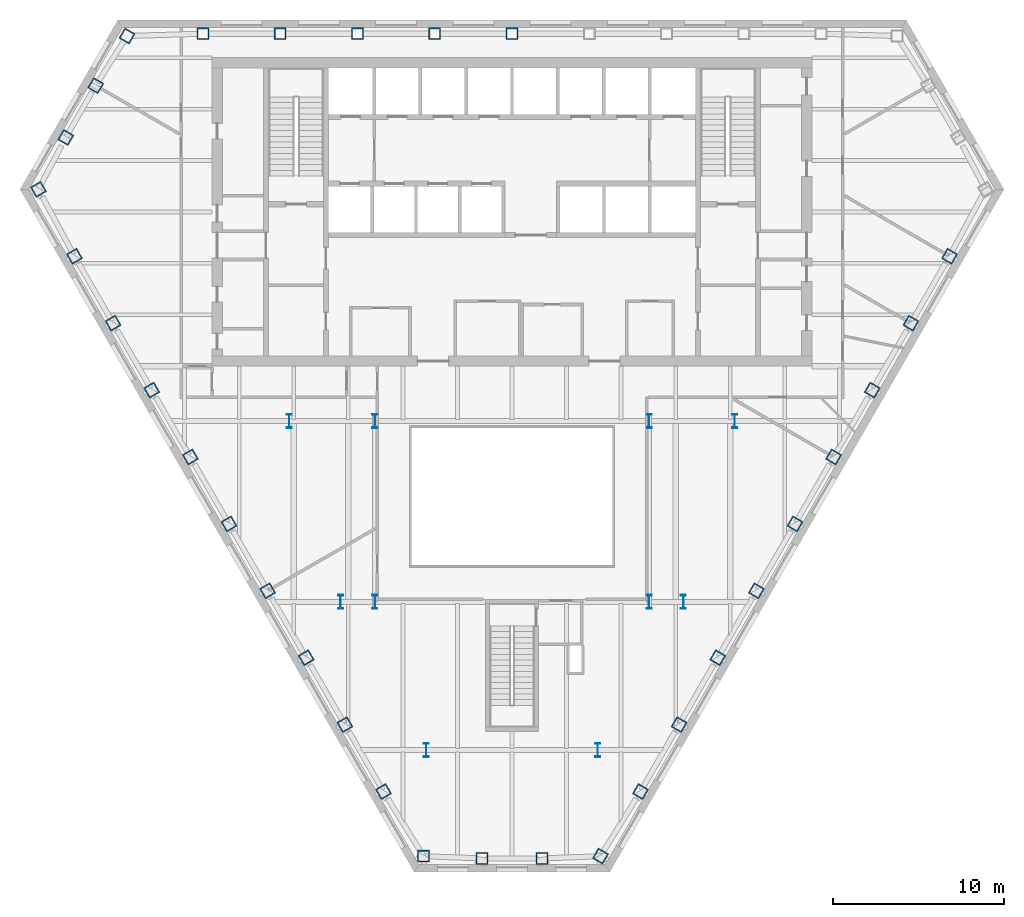
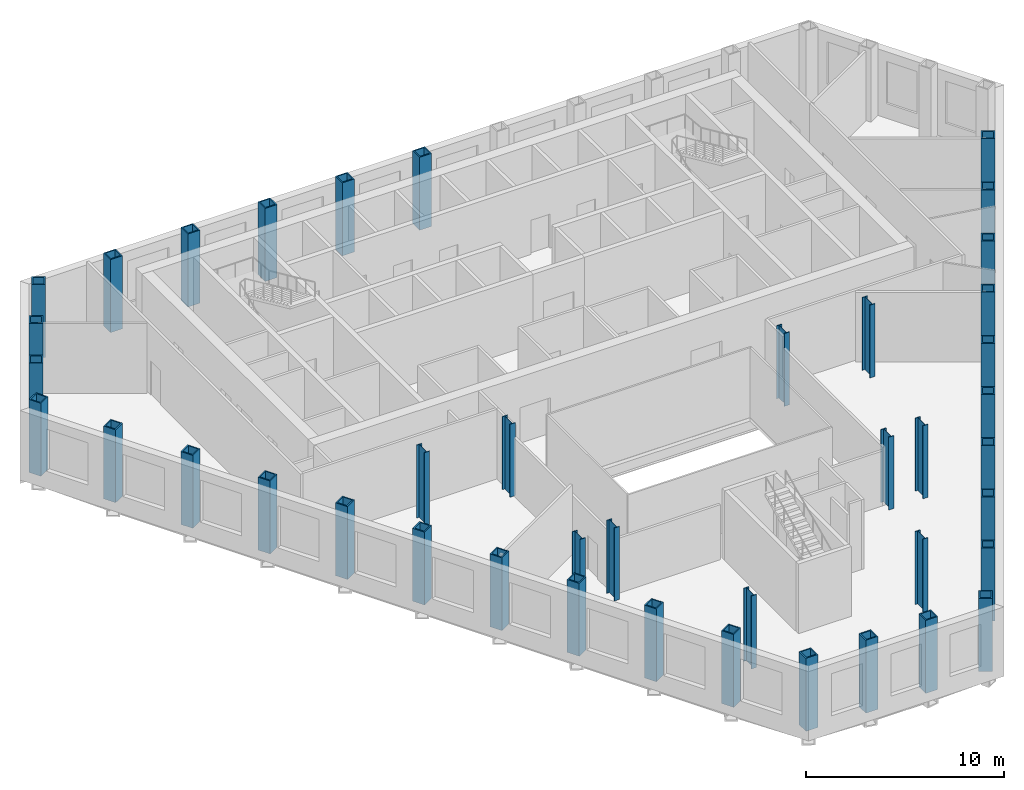
# One storey, part 1 of 11: 41 columns.
"""IFC4 building model written with IfcOpenShell, lengths in metres."""

from ifc_helpers import new_model, si_unit, direction, frame, origin, origin_2d, place, context, subcontext, project, spatial, hollow_rectangle, i_section, extrude, material, material_profile, profile_set, type_object, element, save


model = new_model("IFC4")

# Units and contexts
model_context = context("Model", 3, precision=1e-05, world=origin(), true_north=direction((0.0, 1.0)))
body_context = subcontext(model_context, "Body", "Model", "MODEL_VIEW")
ifc_project = project(units=[si_unit("LENGTHUNIT", "METRE"), si_unit("AREAUNIT", "SQUARE_METRE"), si_unit("VOLUMEUNIT", "CUBIC_METRE"), si_unit("PLANEANGLEUNIT", "RADIAN"), si_unit("MASSUNIT", "GRAM", prefix="KILO")], contexts=[model_context])

# Site, building, storey
site_placement = place(None, origin())
site = spatial("IfcSite", under=ifc_project, at=site_placement, CompositionType="ELEMENT")
building_placement = place(site_placement, origin())
building = spatial("IfcBuilding", under=site, at=building_placement, Name="Njiva Tower", CompositionType="ELEMENT")
storey_placement = place(building_placement, frame((0.0, 0.0, 46.8)))
storey = spatial("IfcBuildingStorey", under=building, at=storey_placement, Name="L09", CompositionType="ELEMENT", Elevation=46.8)

# Columns
ifc_material = material(Name="Steel S355 J2", Category="steel")
ifc_material_profile_1 = material_profile(ifc_material, hollow_rectangle(XDim=0.7, YDim=0.7, WallThickness=0.07, at=origin_2d()), Name="BOX 700x700x70")
ifc_profile_set_1 = profile_set([ifc_material_profile_1], Name="Steel S355 J2")
column_type_1 = type_object("IfcColumnType", Name="C5 Perimeter tube column BOX 700x700x70", PredefinedType="COLUMN", material=ifc_profile_set_1)
for number, where, z_axis, x_axis, name in (
    (1, (0.0, 19.4, 0.0), (0.0, 0.0, 1.0), (-1.0, 0.0, 0.0), "Perimeter tube column S03-C06"),
    (2, (-4.508, 19.4, 0.0), (0.0, 0.0, 1.0), (-1.0, 0.0, 0.0), "Perimeter tube column S03-C07"),
    (3, (-9.015, 19.4, 0.0), (0.0, 0.0, 1.0), (-1.0, 0.0, 0.0), "Perimeter tube column S03-C08"),
    (4, (-13.523, 19.4, 0.0), (0.0, 0.0, 1.0), (-1.0, 0.0, 0.0), "Perimeter tube column S03-C09"),
    (5, (-18.03, 19.4, 0.0), (0.0, 0.0, 1.0), (-1.0, 0.0, 0.0), "Perimeter tube column S03-C10"),
    (6, (-22.461, 19.267, 0.0), (0.0, 0.0, 1.0), (-0.5, -0.866025403784, 0.0), "Perimeter tube column S03-C11"),
    (7, (-24.286, 16.373, 0.0), (0.0, 0.0, 1.0), (-0.5, -0.866025403784, 0.0), "Perimeter tube column S03-C12"),
    (8, (-26.034, 13.346, 0.0), (0.0, 0.0, 1.0), (-0.5, -0.866025403784, 0.0), "Perimeter tube column S03-C13"),
    (9, (-27.628, 10.319, 0.0), (0.0, 0.0, 1.0), (0.5, -0.866025403784, 0.0), "Perimeter tube column S03-C14"),
    (10, (-25.527, 6.415, 0.0), (0.0, 0.0, 1.0), (0.5, -0.866025403784, 0.0), "Perimeter tube column S03-C15"),
    (11, (-23.274, 2.511, 0.0), (0.0, 0.0, 1.0), (0.5, -0.866025403784, 0.0), "Perimeter tube column S03-C16"),
    (12, (-21.02, -1.393, 0.0), (0.0, 0.0, 1.0), (0.5, -0.866025403784, 0.0), "Perimeter tube column S03-C17"),
    (13, (-18.766, -5.296, 0.0), (0.0, 0.0, 1.0), (0.5, -0.866025403784, 0.0), "Perimeter tube column S03-C18"),
    (14, (-16.512, -9.2, 0.0), (0.0, 0.0, 1.0), (0.5, -0.866025403784, 0.0), "Perimeter tube column S03-C19"),
    (15, (-14.258, -13.104, 0.0), (0.0, 0.0, 1.0), (0.5, -0.866025403784, 0.0), "Perimeter tube column S03-C20"),
    (16, (-12.005, -17.007, 0.0), (0.0, 0.0, 1.0), (0.5, -0.866025403784, 0.0), "Perimeter tube column S03-C21"),
    (17, (-9.751, -20.911, 0.0), (0.0, 0.0, 1.0), (0.5, -0.866025403784, 0.0), "Perimeter tube column S03-C22"),
    (18, (-7.497, -24.815, 0.0), (0.0, 0.0, 1.0), (0.5, -0.866025403784, 0.0), "Perimeter tube column S03-C23"),
    (19, (-5.166, -28.585, 0.0), (0.0, 0.0, 1.0), (1.0, 0.0, 0.0), "Perimeter tube column S03-C24"),
    (20, (-1.748, -28.719, 0.0), (0.0, 0.0, 1.0), (1.0, 0.0, 0.0), "Perimeter tube column S03-C25"),
    (21, (1.748, -28.719, 0.0), (0.0, 0.0, 1.0), (1.0, 0.0, 0.0), "Perimeter tube column S03-C26"),
    (22, (5.166, -28.585, 0.0), (0.0, 0.0, 1.0), (0.5, 0.866025403784, 0.0), "Perimeter tube column S03-C27"),
    (23, (7.497, -24.815, 0.0), (0.0, 0.0, 1.0), (0.5, 0.866025403784, 0.0), "Perimeter tube column S03-C28"),
    (24, (9.751, -20.911, 0.0), (0.0, 0.0, 1.0), (0.5, 0.866025403784, 0.0), "Perimeter tube column S03-C29"),
    (25, (12.005, -17.007, 0.0), (0.0, 0.0, 1.0), (0.5, 0.866025403784, 0.0), "Perimeter tube column S03-C30"),
    (26, (14.258, -13.104, 0.0), (0.0, 0.0, 1.0), (0.5, 0.866025403784, 0.0), "Perimeter tube column S03-C31"),
    (27, (16.512, -9.2, 0.0), (0.0, 0.0, 1.0), (0.5, 0.866025403784, 0.0), "Perimeter tube column S03-C32"),
    (28, (18.766, -5.296, 0.0), (0.0, 0.0, 1.0), (0.5, 0.866025403784, 0.0), "Perimeter tube column S03-C33"),
    (29, (21.02, -1.393, 0.0), (0.0, 0.0, 1.0), (0.5, 0.866025403784, 0.0), "Perimeter tube column S03-C34"),
    (30, (23.274, 2.511, 0.0), (0.0, 0.0, 1.0), (0.5, 0.866025403784, 0.0), "Perimeter tube column S03-C35"),
    (31, (25.527, 6.415, 0.0), (0.0, 0.0, 1.0), (0.5, 0.866025403784, 0.0), "Perimeter tube column S03-C36"),
):
    element("IfcColumn", number, at=place(storey_placement, frame(where, z_axis=z_axis, x_axis=x_axis)), inside=storey, type_object=column_type_1, Name=name, PredefinedType="COLUMN", context=body_context, shape_type="SweptSolid", body=[
        extrude(hollow_rectangle(XDim=0.7, YDim=0.7, WallThickness=0.07, at=origin_2d()), origin(), (0.0, 0.0, 1.0), 4.5),
    ])
ifc_material_profile_2 = material_profile(ifc_material, i_section(OverallWidth=0.303, OverallDepth=0.814, WebThickness=0.021, FlangeThickness=0.04, at=origin_2d()), Name="HEM 800")
ifc_profile_set_2 = profile_set([ifc_material_profile_2], Name="Steel S355 J2")
column_type_2 = type_object("IfcColumnType", Name="C6 Interior column HEM 800", PredefinedType="COLUMN", material=ifc_profile_set_2)
for number, where, z_axis, x_axis, name in (
    (32, (8.0, -3.2, 0.0), (0.0, 0.0, 1.0), (1.0, 0.0, 0.0), "Interior column S03-C40"),
    (33, (-8.0, -3.2, 0.0), (0.0, 0.0, 1.0), (1.0, 0.0, 0.0), "Interior column S03-C41"),
    (34, (8.0, -13.75, 0.0), (0.0, 0.0, 1.0), (1.0, 0.0, 0.0), "Interior column S03-C42"),
    (35, (-8.0, -13.75, 0.0), (0.0, 0.0, 1.0), (1.0, 0.0, 0.0), "Interior column S03-C43"),
    (36, (5.0, -22.4, 0.0), (0.0, 0.0, 1.0), (1.0, 0.0, 0.0), "Interior column S03-C44"),
    (37, (-5.0, -22.4, 0.0), (0.0, 0.0, 1.0), (1.0, 0.0, 0.0), "Interior column S03-C45"),
    (38, (13.0, -3.2, 0.0), (0.0, 0.0, 1.0), (1.0, 0.0, 0.0), "Interior column S03-C46"),
    (39, (-13.0, -3.2, 0.0), (0.0, 0.0, 1.0), (1.0, 0.0, 0.0), "Interior column S03-C47"),
    (40, (10.0, -13.75, 0.0), (0.0, 0.0, 1.0), (1.0, 0.0, 0.0), "Interior column S03-C48"),
    (41, (-10.0, -13.75, 0.0), (0.0, 0.0, 1.0), (1.0, 0.0, 0.0), "Interior column S03-C49"),
):
    element("IfcColumn", number, at=place(storey_placement, frame(where, z_axis=z_axis, x_axis=x_axis)), inside=storey, type_object=column_type_2, Name=name, PredefinedType="COLUMN", context=body_context, shape_type="SweptSolid", body=[
        extrude(i_section(OverallWidth=0.303, OverallDepth=0.814, WebThickness=0.021, FlangeThickness=0.04, at=origin_2d()), origin(), (0.0, 0.0, 1.0), 4.5),
    ])

save(model, "model.ifc")
